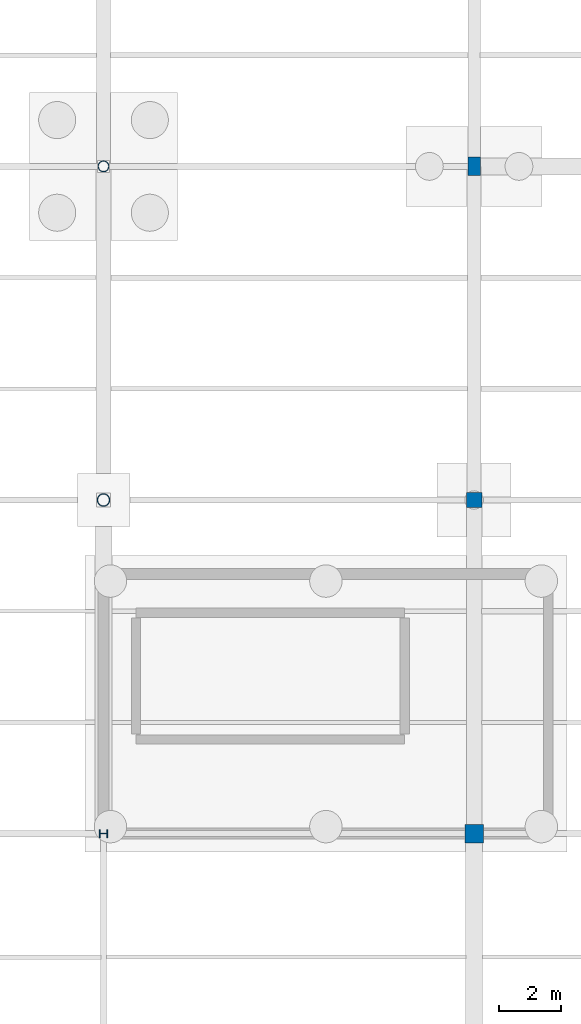
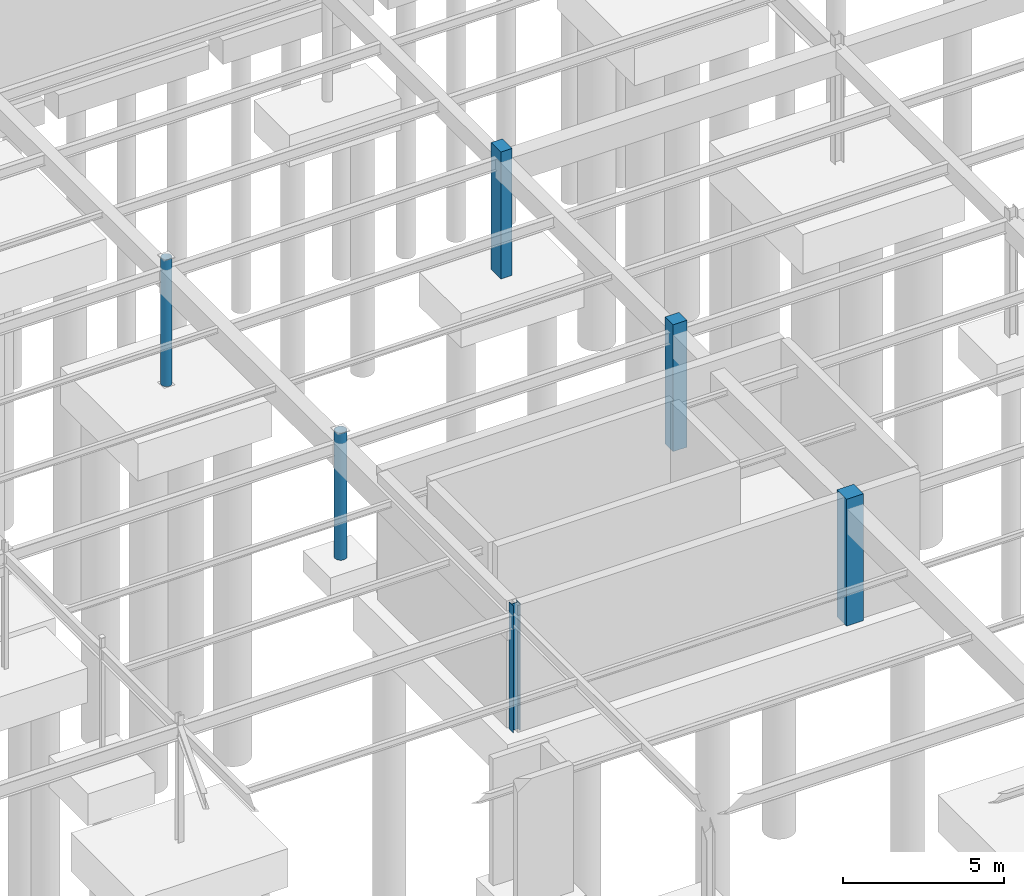
# One storey, part 65 of 136: 6 columns.
"""IFC4 building model written with IfcOpenShell, lengths in metres."""

from ifc_helpers import new_model, si_unit, direction, frame, origin, origin_2d, place, context, subcontext, project, spatial, rectangle, hollow_circle, i_section, extrude, material, material_profile, profile_set, type_object, element, save


model = new_model("IFC4")

# Units and contexts
model_context = context("Model", 3, precision=1e-05, world=origin(), true_north=direction((0.0, 1.0)))
body_context = subcontext(model_context, "Body", "Model", "MODEL_VIEW")
ifc_project = project(units=[si_unit("LENGTHUNIT", "METRE"), si_unit("AREAUNIT", "SQUARE_METRE"), si_unit("VOLUMEUNIT", "CUBIC_METRE"), si_unit("PLANEANGLEUNIT", "RADIAN"), si_unit("MASSUNIT", "GRAM", prefix="KILO")], contexts=[model_context])

# Site, building, storey
site_placement = place(None, origin())
site = spatial("IfcSite", under=ifc_project, at=site_placement, CompositionType="ELEMENT")
building_placement = place(site_placement, origin())
building = spatial("IfcBuilding", under=site, at=building_placement, Name="Tarnwether General Hospital", CompositionType="ELEMENT")
storey_placement = place(building_placement, frame((0.0, 0.0, -4.800048828125)))
storey = spatial("IfcBuildingStorey", under=building, at=storey_placement, Name="LG", CompositionType="ELEMENT", Elevation=-4.800048828125)

# Columns
ifc_material_1 = material(Name="Steel Grade 350 (350 MPa)", Category="steel")
ifc_material_profile_1 = material_profile(ifc_material_1, i_section(OverallWidth=0.256103515625, OverallDepth=0.260009765625, WebThickness=0.010498046875, FlangeThickness=0.017333984375, at=origin_2d()), Name="250UC89.5")
ifc_profile_set_1 = profile_set([ifc_material_profile_1], Name="Steel Grade 350 (350 MPa)")
column_type_1 = type_object("IfcColumnType", Name="COL-09", PredefinedType="COLUMN", material=ifc_profile_set_1)
column_1_placement = place(storey_placement, frame((156.0, 93.60009765625, 0.0), z_axis=(0.0, 0.0, 1.0), x_axis=(0.0, 1.0, 0.0)))
element("IfcColumn", 1, at=column_1_placement, inside=storey, type_object=column_type_1, Name="Column COLG-LG-15600_9360", PredefinedType="COLUMN", context=body_context, shape_type="SweptSolid", body=[
    extrude(i_section(OverallWidth=0.256103515625, OverallDepth=0.260009765625, WebThickness=0.010498046875, FlangeThickness=0.017333984375, at=origin_2d()), origin(), (0.0, 0.0, 1.0), 4.800048828125),
])
ifc_material_2 = material(Name="Steel Grade C350L0 (350 MPa)", Category="steel")
ifc_material_profile_2 = material_profile(ifc_material_2, hollow_circle(Radius=0.203125, WallThickness=0.01611328125, at=origin_2d()), Name="CHS406.4x16.0")
ifc_profile_set_2 = profile_set([ifc_material_profile_2], Name="Steel Grade C350L0 (350 MPa)")
column_type_2 = type_object("IfcColumnType", Name="COL-10", PredefinedType="COLUMN", material=ifc_profile_set_2)
column_2_placement = place(storey_placement, frame((156.0, 104.39990234375, 0.0), z_axis=(0.0, 0.0, 1.0), x_axis=(0.0, 1.0, 0.0)))
element("IfcColumn", 2, at=column_2_placement, inside=storey, type_object=column_type_2, Name="Column COLG-LG-15600_10440", PredefinedType="COLUMN", context=body_context, shape_type="SweptSolid", body=[
    extrude(hollow_circle(Radius=0.203125, WallThickness=0.01611328125, at=origin_2d()), origin(), (0.0, 0.0, 1.0), 4.800048828125),
])
ifc_material_3 = material(Name="Steel Grade C350L0 (350 MPa)", Category="steel")
ifc_material_profile_3 = material_profile(ifc_material_3, hollow_circle(Radius=0.177734375, WallThickness=0.0126953125, at=origin_2d()), Name="CHS355.6x12.7")
ifc_profile_set_3 = profile_set([ifc_material_profile_3], Name="Steel Grade C350L0 (350 MPa)")
column_type_3 = type_object("IfcColumnType", Name="COL-11", PredefinedType="COLUMN", material=ifc_profile_set_3)
column_3_placement = place(storey_placement, frame((156.0, 115.199951171875, 0.0), z_axis=(0.0, 0.0, 1.0), x_axis=(0.0, 1.0, 0.0)))
element("IfcColumn", 3, at=column_3_placement, inside=storey, type_object=column_type_3, Name="Column COLG-LG-15600_11520", PredefinedType="COLUMN", context=body_context, shape_type="SweptSolid", body=[
    extrude(hollow_circle(Radius=0.177734375, WallThickness=0.0126953125, at=origin_2d()), origin(), (0.0, 0.0, 1.0), 4.800048828125),
])
ifc_material_4 = material(Name="Concrete 50 MPa", Category="concrete")
ifc_material_profile_4 = material_profile(ifc_material_4, rectangle(XDim=0.60009765625, YDim=0.60009765625, at=origin_2d()), Name="RC-COL-600x600")
ifc_profile_set_4 = profile_set([ifc_material_profile_4], Name="Concrete 50 MPa")
column_type_4 = type_object("IfcColumnType", Name="COL-19", PredefinedType="COLUMN", material=ifc_profile_set_4)
column_4_placement = place(storey_placement, frame((168.0, 93.60009765625, 0.0), z_axis=(0.0, 0.0, 1.0), x_axis=(1.0, 0.0, 0.0)))
element("IfcColumn", 4, at=column_4_placement, inside=storey, type_object=column_type_4, Name="Column COLG-LG-16800_9360", PredefinedType="COLUMN", context=body_context, shape_type="SweptSolid", body=[
    extrude(rectangle(XDim=0.60009765625, YDim=0.60009765625, at=origin_2d()), origin(), (0.0, 0.0, 1.0), 4.800048828125),
])
ifc_material_5 = material(Name="Concrete 50 MPa", Category="concrete")
ifc_material_profile_5 = material_profile(ifc_material_5, rectangle(XDim=0.5, YDim=0.5, at=origin_2d()), Name="RC-COL-500x500")
ifc_profile_set_5 = profile_set([ifc_material_profile_5], Name="Concrete 50 MPa")
column_type_5 = type_object("IfcColumnType", Name="COL-20", PredefinedType="COLUMN", material=ifc_profile_set_5)
column_5_placement = place(storey_placement, frame((168.0, 104.39990234375, 0.0), z_axis=(0.0, 0.0, 1.0), x_axis=(1.0, 0.0, 0.0)))
element("IfcColumn", 5, at=column_5_placement, inside=storey, type_object=column_type_5, Name="Column COLG-LG-16800_10440", PredefinedType="COLUMN", context=body_context, shape_type="SweptSolid", body=[
    extrude(rectangle(XDim=0.5, YDim=0.5, at=origin_2d()), origin(), (0.0, 0.0, 1.0), 4.800048828125),
])
ifc_material_6 = material(Name="Concrete 50 MPa", Category="concrete")
ifc_material_profile_6 = material_profile(ifc_material_6, rectangle(XDim=0.39990234375, YDim=0.60009765625, at=origin_2d()), Name="RC-PIL-400x600")
ifc_profile_set_6 = profile_set([ifc_material_profile_6], Name="Concrete 50 MPa")
column_type_6 = type_object("IfcColumnType", Name="COL-21", PredefinedType="PILASTER", material=ifc_profile_set_6)
column_6_placement = place(storey_placement, frame((168.0, 115.199951171875, 0.0), z_axis=(0.0, 0.0, 1.0), x_axis=(1.0, 0.0, 0.0)))
element("IfcColumn", 6, at=column_6_placement, inside=storey, type_object=column_type_6, Name="Column COLG-LG-16800_11520", PredefinedType="PILASTER", context=body_context, shape_type="SweptSolid", body=[
    extrude(rectangle(XDim=0.39990234375, YDim=0.60009765625, at=origin_2d()), origin(), (0.0, 0.0, 1.0), 4.800048828125),
])

save(model, "model.ifc")
